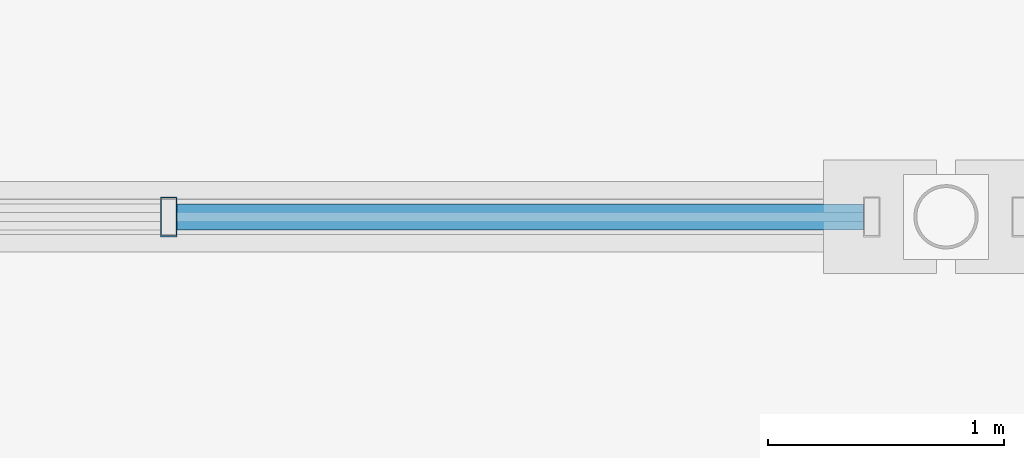
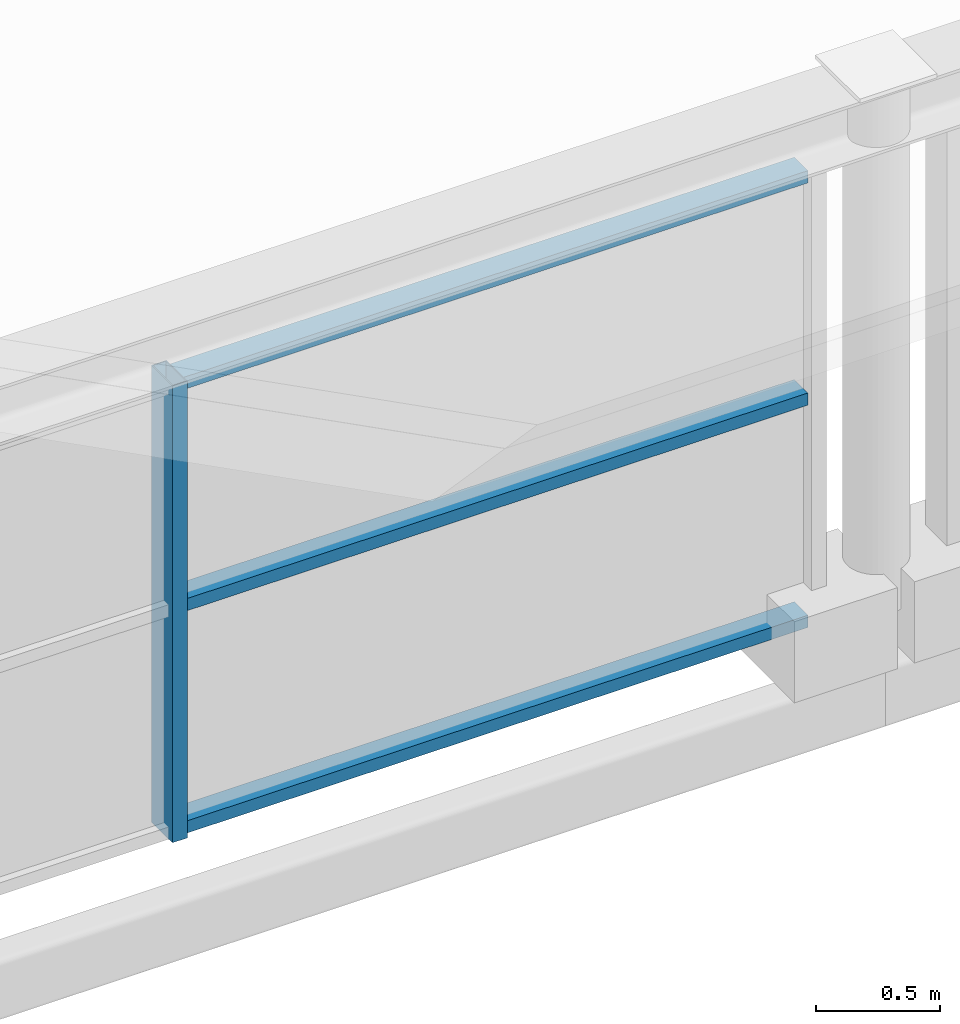
# One storey, part 40 of 117: 4 members, 1 element without a shape of its own.
"""IFC4 building model written with IfcOpenShell, lengths in metres."""

from ifc_helpers import new_model, si_unit, direction, frame, origin, origin_2d, place, context, subcontext, project, spatial, hollow_rectangle, extrude, material, material_profile, profile_set, type_object, element, aggregate, save


model = new_model("IFC4")

# Units and contexts
model_context = context("Model", 3, precision=1e-05, world=origin(), true_north=direction((0.0, 1.0)))
body_context = subcontext(model_context, "Body", "Model", "MODEL_VIEW")
ifc_project = project(units=[si_unit("LENGTHUNIT", "METRE"), si_unit("AREAUNIT", "SQUARE_METRE"), si_unit("VOLUMEUNIT", "CUBIC_METRE"), si_unit("PLANEANGLEUNIT", "RADIAN"), si_unit("MASSUNIT", "GRAM", prefix="KILO")], contexts=[model_context])

# Site, building, storey
site_placement = place(None, origin())
site = spatial("IfcSite", under=ifc_project, at=site_placement, CompositionType="ELEMENT")
building_placement = place(site_placement, origin())
building = spatial("IfcBuilding", under=site, at=building_placement, Name="Merenkruunu Market Hall", CompositionType="ELEMENT")
storey_placement = place(building_placement, frame((0.0, 0.0, 10.199951171875)))
storey = spatial("IfcBuildingStorey", under=building, at=storey_placement, Name="L02", CompositionType="ELEMENT", Elevation=10.199951171875)

# Curtain wall, members
ifc_material = material(Name="Powder-coated aluminium", Category="aluminium")
curtain_wall_type = type_object("IfcCurtainWallType", Name="Glazed Curtain Wall CW16", PredefinedType="USERDEFINED", material=ifc_material)
curtain_wall_placement = place(storey_placement, origin())
curtain_wall = element("IfcCurtainWall", 1, at=curtain_wall_placement, inside=storey, type_object=curtain_wall_type, Name="CW-L02-CWM04-141", ObjectType="GLAZED_FACADE", PredefinedType="USERDEFINED")
ifc_material_profile_1 = material_profile(ifc_material, hollow_rectangle(XDim=0.070068359375, YDim=0.169921875, WallThickness=0.0048828125, at=origin_2d()), Name="ALU 70x170x5")
ifc_profile_set_1 = profile_set([ifc_material_profile_1], Name="Powder-coated aluminium")
member_type_1 = type_object("IfcMemberType", Name="Curtain Wall Mullion CWM04", PredefinedType="MULLION", material=ifc_profile_set_1)
member_1_placement = place(storey_placement, frame((63.90673828125, 15.60009765625, 0.0), z_axis=(0.0, 0.0, 1.0), x_axis=(-1.0, 0.0, 0.0)))
member_1 = element("IfcMember", 2, at=member_1_placement, type_object=member_type_1, Name="CW16 mullion 2", PredefinedType="MULLION", context=body_context, shape_type="SweptSolid", body=[
    extrude(hollow_rectangle(XDim=0.070068359375, YDim=0.169921875, WallThickness=0.0048828125, at=origin_2d()), origin(), (0.0, 0.0, 1.0), 2.25),
])
ifc_material_profile_2 = material_profile(ifc_material, hollow_rectangle(XDim=0.06005859375, YDim=0.110107421875, WallThickness=0.00390625, at=origin_2d()), Name="ALU 60x110x4")
ifc_profile_set_2 = profile_set([ifc_material_profile_2], Name="Powder-coated aluminium")
member_type_2 = type_object("IfcMemberType", Name="Curtain Wall Transom CWT03", PredefinedType="USERDEFINED", material=ifc_profile_set_2)
member_2_placement = place(storey_placement, frame((66.85009765625, 15.60009765625, 0.030029296875), z_axis=(-1.0, 0.0, 0.0), x_axis=(0.0, 0.0, 1.0)))
member_2 = element("IfcMember", 3, at=member_2_placement, type_object=member_type_2, Name="CW16 transom 1.1", ObjectType="TRANSOM", PredefinedType="USERDEFINED", context=body_context, shape_type="SweptSolid", body=[
    extrude(hollow_rectangle(XDim=0.06005859375, YDim=0.110107421875, WallThickness=0.00390625, at=origin_2d()), origin(), (0.0, 0.0, 1.0), 2.908447265625),
])
member_3_placement = place(storey_placement, frame((66.85009765625, 15.60009765625, 1.125), z_axis=(-1.0, 0.0, 0.0), x_axis=(0.0, 0.0, 1.0)))
member_3 = element("IfcMember", 4, at=member_3_placement, type_object=member_type_2, Name="CW16 transom 1.2", ObjectType="TRANSOM", PredefinedType="USERDEFINED", context=body_context, shape_type="SweptSolid", body=[
    extrude(hollow_rectangle(XDim=0.06005859375, YDim=0.110107421875, WallThickness=0.00390625, at=origin_2d()), origin(), (0.0, 0.0, 1.0), 2.908447265625),
])
member_4_placement = place(storey_placement, frame((66.85009765625, 15.60009765625, 2.219970703125), z_axis=(-1.0, 0.0, 0.0), x_axis=(0.0, 0.0, 1.0)))
member_4 = element("IfcMember", 5, at=member_4_placement, type_object=member_type_2, Name="CW16 transom 1.3", ObjectType="TRANSOM", PredefinedType="USERDEFINED", context=body_context, shape_type="SweptSolid", body=[
    extrude(hollow_rectangle(XDim=0.06005859375, YDim=0.110107421875, WallThickness=0.00390625, at=origin_2d()), origin(), (0.0, 0.0, 1.0), 2.908447265625),
])
aggregate(curtain_wall, [member_1, member_2, member_3, member_4])

save(model, "model.ifc")
